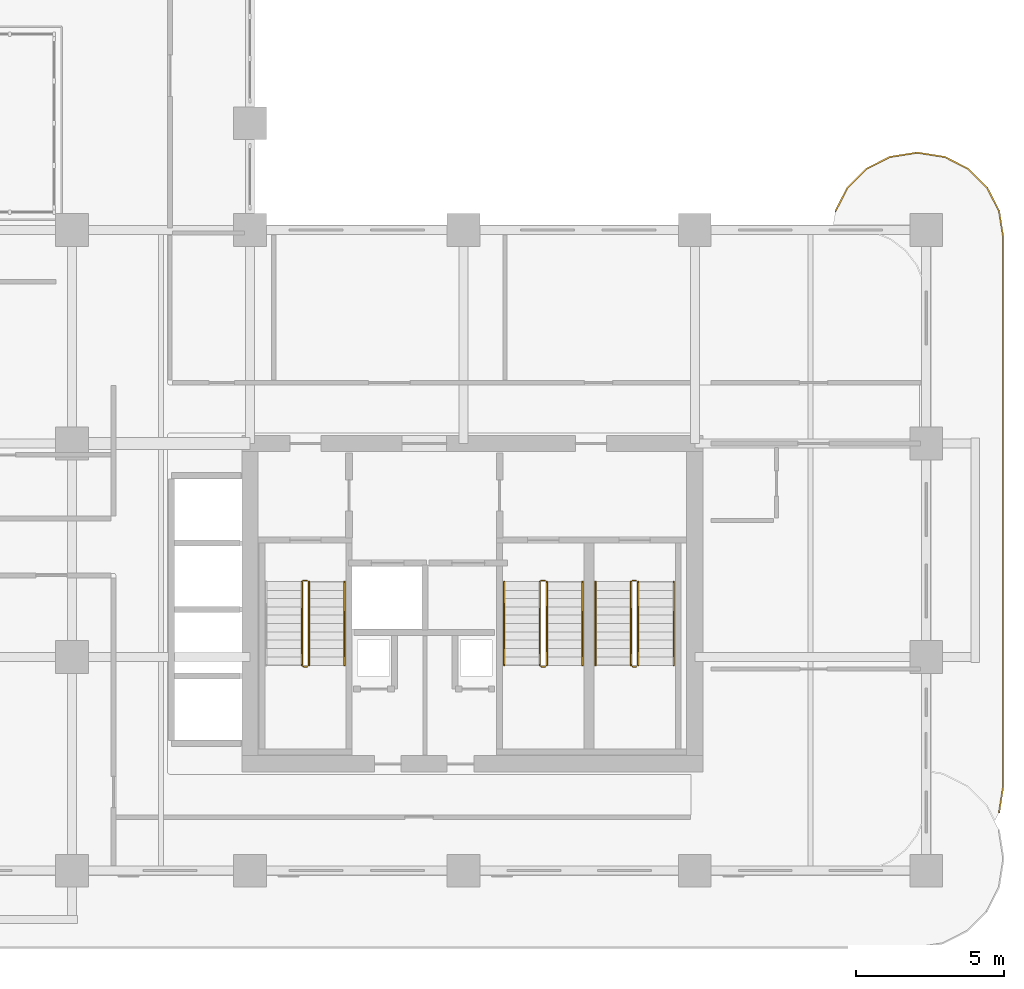
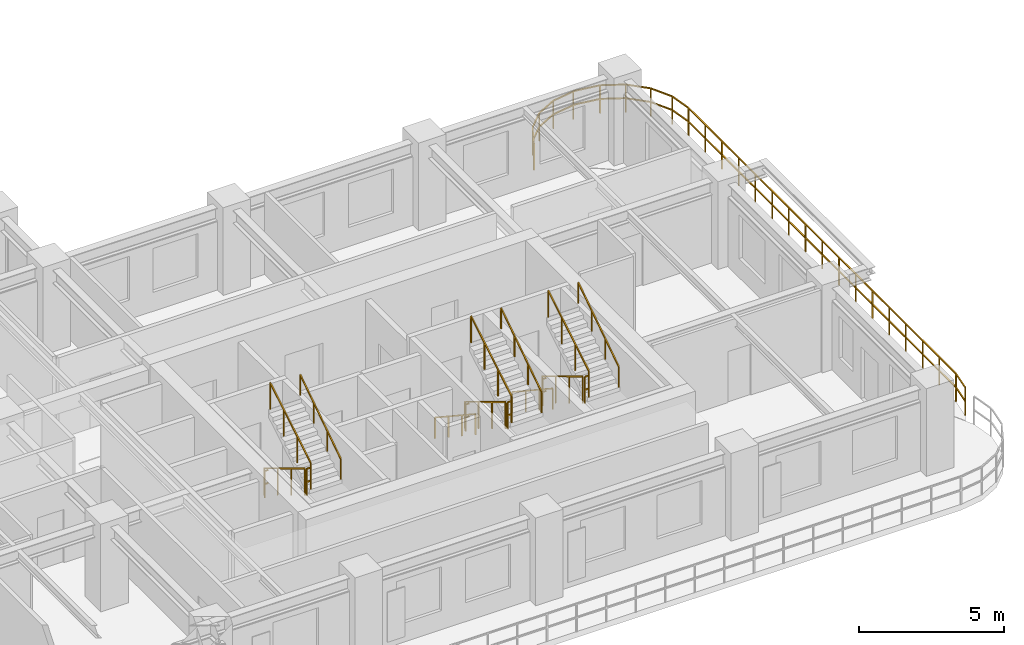
# One storey, part 20 of 22: 18 railings.
"""IFC4 building model written with IfcOpenShell, lengths in metres."""

from ifc_helpers import new_model, si_unit, derived_unit, direction, frame, origin, origin_2d, place, context, subcontext, project, spatial, rectangle, extrude, material, type_object, element, save


model = new_model("IFC4")

# Units and contexts
model_context = context("Model", 3, precision=1e-05, world=origin(), true_north=direction((0.0, 1.0)))
body_context = subcontext(model_context, "Body", "Model", "MODEL_VIEW")
ifc_project = project(units=[si_unit("LENGTHUNIT", "METRE"), si_unit("AREAUNIT", "SQUARE_METRE"), si_unit("VOLUMEUNIT", "CUBIC_METRE"), si_unit("PLANEANGLEUNIT", "RADIAN"), si_unit("MASSUNIT", "GRAM", prefix="KILO"), si_unit("THERMODYNAMICTEMPERATUREUNIT", "KELVIN"), si_unit("POWERUNIT", "WATT"), derived_unit("THERMALTRANSMITTANCEUNIT", [(si_unit("POWERUNIT", "WATT"), 1), (si_unit("AREAUNIT", "SQUARE_METRE"), -1), (si_unit("THERMODYNAMICTEMPERATUREUNIT", "KELVIN"), -1)])], contexts=[model_context])

# Site, building, storey
site_placement = place(None, origin())
site = spatial("IfcSite", under=ifc_project, at=site_placement, CompositionType="ELEMENT")
building_placement = place(site_placement, origin())
building = spatial("IfcBuilding", under=site, at=building_placement, Name="Zahravan Archway Hotel and Residences", CompositionType="ELEMENT")
storey_placement = place(building_placement, frame((0.0, 0.0, 91.60009765625)))
storey = spatial("IfcBuildingStorey", under=building, at=storey_placement, Name="L22", CompositionType="ELEMENT", Elevation=91.60009765625)

# Railings
ifc_material_1 = material(Name="Bronze & Laminated Glass Balustrade", Category="glass")
railing_type_1 = type_object("IfcRailingType", Name="RL-BAL-1200", PredefinedType="BALUSTRADE", material=ifc_material_1)
railing_1_placement = place(storey_placement, frame((54.53955078125, 22.230712890625, 0.0)))
element("IfcRailing", 1, at=railing_1_placement, inside=storey, type_object=railing_type_1, Name="L22 Balustrade RL-SLB-BAL-L22-EA-1", PredefinedType="BALUSTRADE", context=body_context, shape_type="SweptSolid", body=[
    extrude(rectangle(XDim=0.048095703125, YDim=0.048095703125, at=origin_2d()), frame((0.0, 0.0, 1.17578125), z_axis=(0.453991409995, 0.891006060389, 0.0), x_axis=(-0.891006060389, 0.453991409995, 0.0)), (0.0, 0.0, 1.0), 0.8916015625),
    extrude(rectangle(XDim=0.048095703125, YDim=0.048095703125, at=origin_2d()), frame((0.0, 0.0, 0.60009765625), z_axis=(0.453991409995, 0.891006060389, 0.0), x_axis=(-0.891006060389, 0.453991409995, 0.0)), (0.0, 0.0, 1.0), 0.8916015625),
    extrude(rectangle(XDim=0.048095703125, YDim=0.048095703125, at=origin_2d()), frame((0.40478515625, 0.79443359375, 1.17578125), z_axis=(0.706969864397, 0.70724367147, 0.0), x_axis=(-0.70724367147, 0.706969864397, 0.0)), (0.0, 0.0, 1.0), 0.8916015625),
    extrude(rectangle(XDim=0.048095703125, YDim=0.048095703125, at=origin_2d()), frame((0.40478515625, 0.79443359375, 0.60009765625), z_axis=(0.706969864397, 0.70724367147, 0.0), x_axis=(-0.70724367147, 0.706969864397, 0.0)), (0.0, 0.0, 1.0), 0.8916015625),
    extrude(rectangle(XDim=0.048095703125, YDim=0.048095703125, at=origin_2d()), frame((1.03515625, 1.425048828125, 1.17578125), z_axis=(0.891062476022, 0.45388067135, 0.0), x_axis=(-0.45388067135, 0.891062476022, 0.0)), (0.0, 0.0, 1.0), 0.891845703125),
    extrude(rectangle(XDim=0.048095703125, YDim=0.048095703125, at=origin_2d()), frame((1.03515625, 1.425048828125, 0.60009765625), z_axis=(0.891062476022, 0.45388067135, 0.0), x_axis=(-0.45388067135, 0.891062476022, 0.0)), (0.0, 0.0, 1.0), 0.891845703125),
    extrude(rectangle(XDim=0.048095703125, YDim=0.048095703125, at=origin_2d()), frame((1.829833984375, 1.829833984375, 1.17578125), z_axis=(0.987700720307, 0.156356282588, 0.0), x_axis=(-0.156356282588, 0.987700720307, 0.0)), (0.0, 0.0, 1.0), 0.8916015625),
    extrude(rectangle(XDim=0.048095703125, YDim=0.048095703125, at=origin_2d()), frame((1.829833984375, 1.829833984375, 0.60009765625), z_axis=(0.987700720307, 0.156356282588, 0.0), x_axis=(-0.156356282588, 0.987700720307, 0.0)), (0.0, 0.0, 1.0), 0.8916015625),
    extrude(rectangle(XDim=0.048095703125, YDim=0.048095703125, at=origin_2d()), frame((2.71044921875, 1.96923828125, 1.17578125), z_axis=(1.0, 0.0, 0.0), x_axis=(0.0, 1.0, 0.0)), (0.0, 0.0, 1.0), 0.10009765625),
    extrude(rectangle(XDim=0.048095703125, YDim=0.048095703125, at=origin_2d()), frame((2.71044921875, 1.96923828125, 0.60009765625), z_axis=(1.0, 0.0, 0.0), x_axis=(0.0, 1.0, 0.0)), (0.0, 0.0, 1.0), 0.10009765625),
    extrude(rectangle(XDim=0.048095703125, YDim=0.048095703125, at=origin_2d()), frame((2.810546875, 1.96923828125, 1.17578125), z_axis=(0.987700720307, -0.156356282588, 0.0), x_axis=(0.156356282588, 0.987700720307, 0.0)), (0.0, 0.0, 1.0), 0.8916015625),
    extrude(rectangle(XDim=0.048095703125, YDim=0.048095703125, at=origin_2d()), frame((2.810546875, 1.96923828125, 0.60009765625), z_axis=(0.987700720307, -0.156356282588, 0.0), x_axis=(0.156356282588, 0.987700720307, 0.0)), (0.0, 0.0, 1.0), 0.8916015625),
    extrude(rectangle(XDim=0.048095703125, YDim=0.048095703125, at=origin_2d()), frame((3.691162109375, 1.829833984375, 1.17578125), z_axis=(0.891006060389, -0.453991409995, 0.0), x_axis=(0.453991409995, 0.891006060389, 0.0)), (0.0, 0.0, 1.0), 0.8916015625),
    extrude(rectangle(XDim=0.048095703125, YDim=0.048095703125, at=origin_2d()), frame((3.691162109375, 1.829833984375, 0.60009765625), z_axis=(0.891006060389, -0.453991409995, 0.0), x_axis=(0.453991409995, 0.891006060389, 0.0)), (0.0, 0.0, 1.0), 0.8916015625),
    extrude(rectangle(XDim=0.048095703125, YDim=0.048095703125, at=origin_2d()), frame((4.485595703125, 1.425048828125, 1.17578125), z_axis=(0.707106781187, -0.707106781187, 0.0), x_axis=(0.707106781187, 0.707106781187, 0.0)), (0.0, 0.0, 1.0), 0.891845703125),
    extrude(rectangle(XDim=0.048095703125, YDim=0.048095703125, at=origin_2d()), frame((4.485595703125, 1.425048828125, 0.60009765625), z_axis=(0.707106781187, -0.707106781187, 0.0), x_axis=(0.707106781187, 0.707106781187, 0.0)), (0.0, 0.0, 1.0), 0.891845703125),
    extrude(rectangle(XDim=0.048095703125, YDim=0.048095703125, at=origin_2d()), frame((5.1162109375, 0.79443359375, 1.17578125), z_axis=(0.453991409995, -0.891006060389, 0.0), x_axis=(0.891006060389, 0.453991409995, 0.0)), (0.0, 0.0, 1.0), 0.8916015625),
    extrude(rectangle(XDim=0.048095703125, YDim=0.048095703125, at=origin_2d()), frame((5.1162109375, 0.79443359375, 0.60009765625), z_axis=(0.453991409995, -0.891006060389, 0.0), x_axis=(0.891006060389, 0.453991409995, 0.0)), (0.0, 0.0, 1.0), 0.8916015625),
    extrude(rectangle(XDim=0.048095703125, YDim=0.048095703125, at=origin_2d()), frame((5.52099609375, 0.0, 1.17578125), z_axis=(0.156356282588, -0.987700720307, 0.0), x_axis=(0.987700720307, 0.156356282588, 0.0)), (0.0, 0.0, 1.0), 0.8916015625),
    extrude(rectangle(XDim=0.048095703125, YDim=0.048095703125, at=origin_2d()), frame((5.52099609375, 0.0, 0.60009765625), z_axis=(0.156356282588, -0.987700720307, 0.0), x_axis=(0.987700720307, 0.156356282588, 0.0)), (0.0, 0.0, 1.0), 0.8916015625),
    extrude(rectangle(XDim=0.048095703125, YDim=0.048095703125, at=origin_2d()), frame((5.660400390625, -0.880615234375, 1.17578125), z_axis=(0.0, -1.0, 0.0), x_axis=(1.0, 0.0, 0.0)), (0.0, 0.0, 1.0), 18.5),
    extrude(rectangle(XDim=0.048095703125, YDim=0.048095703125, at=origin_2d()), frame((5.660400390625, -0.880615234375, 0.60009765625), z_axis=(0.0, -1.0, 0.0), x_axis=(1.0, 0.0, 0.0)), (0.0, 0.0, 1.0), 18.5),
    extrude(rectangle(XDim=0.048095703125, YDim=0.048095703125, at=origin_2d()), frame((5.660400390625, -19.380615234375, 1.17578125), z_axis=(-0.156314005608, -0.987707411965, 0.0), x_axis=(0.987707411965, -0.156314005608, 0.0)), (0.0, 0.0, 1.0), 0.891845703125),
    extrude(rectangle(XDim=0.048095703125, YDim=0.048095703125, at=origin_2d()), frame((5.660400390625, -19.380615234375, 0.60009765625), z_axis=(-0.156314005608, -0.987707411965, 0.0), x_axis=(0.987707411965, -0.156314005608, 0.0)), (0.0, 0.0, 1.0), 0.891845703125),
    extrude(rectangle(XDim=0.0419921875, YDim=0.0419921875, at=origin_2d()), origin(), (0.0, 0.0, 1.0), 1.15185546875),
    extrude(rectangle(XDim=0.0419921875, YDim=0.0419921875, at=origin_2d()), frame((0.40478515625, 0.79443359375, 0.0)), (0.0, 0.0, 1.0), 1.15185546875),
    extrude(rectangle(XDim=0.0419921875, YDim=0.0419921875, at=origin_2d()), frame((1.03515625, 1.425048828125, 0.0)), (0.0, 0.0, 1.0), 1.15185546875),
    extrude(rectangle(XDim=0.0419921875, YDim=0.0419921875, at=origin_2d()), frame((1.829833984375, 1.829833984375, 0.0)), (0.0, 0.0, 1.0), 1.15185546875),
    extrude(rectangle(XDim=0.0419921875, YDim=0.0419921875, at=origin_2d()), frame((2.71044921875, 1.96923828125, 0.0)), (0.0, 0.0, 1.0), 1.15185546875),
    extrude(rectangle(XDim=0.0419921875, YDim=0.0419921875, at=origin_2d()), frame((3.691162109375, 1.829833984375, 0.0)), (0.0, 0.0, 1.0), 1.15185546875),
    extrude(rectangle(XDim=0.0419921875, YDim=0.0419921875, at=origin_2d()), frame((4.485595703125, 1.425048828125, 0.0)), (0.0, 0.0, 1.0), 1.15185546875),
    extrude(rectangle(XDim=0.0419921875, YDim=0.0419921875, at=origin_2d()), frame((5.1162109375, 0.79443359375, 0.0)), (0.0, 0.0, 1.0), 1.15185546875),
    extrude(rectangle(XDim=0.0419921875, YDim=0.0419921875, at=origin_2d()), frame((5.52099609375, 0.0, 0.0)), (0.0, 0.0, 1.0), 1.15185546875),
    extrude(rectangle(XDim=0.0419921875, YDim=0.0419921875, at=origin_2d()), frame((5.660400390625, -0.880615234375, 0.0)), (0.0, 0.0, 1.0), 1.15185546875),
    extrude(rectangle(XDim=0.0419921875, YDim=0.0419921875, at=origin_2d()), frame((5.660400390625, -2.036865234375, 0.0)), (0.0, 0.0, 1.0), 1.15185546875),
    extrude(rectangle(XDim=0.0419921875, YDim=0.0419921875, at=origin_2d()), frame((5.660400390625, -3.193115234375, 0.0)), (0.0, 0.0, 1.0), 1.15185546875),
    extrude(rectangle(XDim=0.0419921875, YDim=0.0419921875, at=origin_2d()), frame((5.660400390625, -4.349365234375, 0.0)), (0.0, 0.0, 1.0), 1.15185546875),
    extrude(rectangle(XDim=0.0419921875, YDim=0.0419921875, at=origin_2d()), frame((5.660400390625, -5.505615234375, 0.0)), (0.0, 0.0, 1.0), 1.15185546875),
    extrude(rectangle(XDim=0.0419921875, YDim=0.0419921875, at=origin_2d()), frame((5.660400390625, -6.661865234375, 0.0)), (0.0, 0.0, 1.0), 1.15185546875),
    extrude(rectangle(XDim=0.0419921875, YDim=0.0419921875, at=origin_2d()), frame((5.660400390625, -7.818115234375, 0.0)), (0.0, 0.0, 1.0), 1.15185546875),
    extrude(rectangle(XDim=0.0419921875, YDim=0.0419921875, at=origin_2d()), frame((5.660400390625, -8.974365234375, 0.0)), (0.0, 0.0, 1.0), 1.15185546875),
    extrude(rectangle(XDim=0.0419921875, YDim=0.0419921875, at=origin_2d()), frame((5.660400390625, -10.130615234375, 0.0)), (0.0, 0.0, 1.0), 1.15185546875),
    extrude(rectangle(XDim=0.0419921875, YDim=0.0419921875, at=origin_2d()), frame((5.660400390625, -11.286865234375, 0.0)), (0.0, 0.0, 1.0), 1.15185546875),
    extrude(rectangle(XDim=0.0419921875, YDim=0.0419921875, at=origin_2d()), frame((5.660400390625, -12.443115234375, 0.0)), (0.0, 0.0, 1.0), 1.15185546875),
    extrude(rectangle(XDim=0.0419921875, YDim=0.0419921875, at=origin_2d()), frame((5.660400390625, -13.599365234375, 0.0)), (0.0, 0.0, 1.0), 1.15185546875),
    extrude(rectangle(XDim=0.0419921875, YDim=0.0419921875, at=origin_2d()), frame((5.660400390625, -14.755615234375, 0.0)), (0.0, 0.0, 1.0), 1.15185546875),
    extrude(rectangle(XDim=0.0419921875, YDim=0.0419921875, at=origin_2d()), frame((5.660400390625, -15.911865234375, 0.0)), (0.0, 0.0, 1.0), 1.15185546875),
    extrude(rectangle(XDim=0.0419921875, YDim=0.0419921875, at=origin_2d()), frame((5.660400390625, -17.068115234375, 0.0)), (0.0, 0.0, 1.0), 1.15185546875),
    extrude(rectangle(XDim=0.0419921875, YDim=0.0419921875, at=origin_2d()), frame((5.660400390625, -18.224365234375, 0.0)), (0.0, 0.0, 1.0), 1.15185546875),
    extrude(rectangle(XDim=0.0419921875, YDim=0.0419921875, at=origin_2d()), frame((5.660400390625, -19.380615234375, 0.0)), (0.0, 0.0, 1.0), 1.15185546875),
    extrude(rectangle(XDim=0.0419921875, YDim=0.0419921875, at=origin_2d()), frame((5.52099609375, -20.261474609375, 0.0)), (0.0, 0.0, 1.0), 1.15185546875),
])
ifc_material_2 = material(Name="Painted Tubular Steel", Category="steel")
railing_type_2 = type_object("IfcRailingType", Name="RL-STG-1150", PredefinedType="GUARDRAIL", material=ifc_material_2)
railing_2_placement = place(storey_placement, frame((36.550048828125, 9.72998046875, 0.16796875)))
element("IfcRailing", 2, at=railing_2_placement, inside=storey, type_object=railing_type_2, Name="L22 ST-A1 stair guard 1", PredefinedType="GUARDRAIL", context=body_context, shape_type="SweptSolid", body=[
    extrude(rectangle(XDim=0.048095703125, YDim=0.048095703125, at=origin_2d()), frame((0.0, 0.0, 1.1259765625), z_axis=(0.0, -0.857242210791, 0.514913383045), x_axis=(1.0, 0.0, 0.0)), (0.0, 0.0, 1.0), 3.266357421875),
    extrude(rectangle(XDim=0.0419921875, YDim=0.0419921875, at=origin_2d()), origin(), (0.0, 0.0, 1.0), 1.101806640625),
    extrude(rectangle(XDim=0.0419921875, YDim=0.0419921875, at=origin_2d()), frame((0.0, -0.933349609375, 0.560546875)), (0.0, 0.0, 1.0), 1.101806640625),
    extrude(rectangle(XDim=0.0419921875, YDim=0.0419921875, at=origin_2d()), frame((0.0, -1.86669921875, 1.121337890625)), (0.0, 0.0, 1.0), 1.101806640625),
    extrude(rectangle(XDim=0.0419921875, YDim=0.0419921875, at=origin_2d()), frame((0.0, -2.800048828125, 1.681884765625)), (0.0, 0.0, 1.0), 1.101806640625),
])
railing_3_placement = place(storey_placement, frame((36.60009765625, 6.8798828125, 1.849853515625)))
element("IfcRailing", 3, at=railing_3_placement, inside=storey, type_object=railing_type_2, Name="L22 ST-A1 stair guard 2", PredefinedType="GUARDRAIL", context=body_context, shape_type="SweptSolid", body=[
    extrude(rectangle(XDim=0.048095703125, YDim=0.048095703125, at=origin_2d()), frame((0.0, 0.0, 1.1259765625), z_axis=(1.0, 0.0, 0.0), x_axis=(0.0, 1.0, 0.0)), (0.0, 0.0, 1.0), 0.139892578125),
    extrude(rectangle(XDim=0.048095703125, YDim=0.048095703125, at=origin_2d()), frame((0.0, 0.0, 0.574951171875), z_axis=(1.0, 0.0, 0.0), x_axis=(0.0, 1.0, 0.0)), (0.0, 0.0, 1.0), 0.139892578125),
    extrude(rectangle(XDim=0.0419921875, YDim=0.0419921875, at=origin_2d()), origin(), (0.0, 0.0, 1.0), 1.101806640625),
])
railing_4_placement = place(storey_placement, frame((36.7900390625, 6.929931640625, 2.01806640625)))
element("IfcRailing", 4, at=railing_4_placement, inside=storey, type_object=railing_type_2, Name="L22 ST-A1 stair guard 3", PredefinedType="GUARDRAIL", context=body_context, shape_type="SweptSolid", body=[
    extrude(rectangle(XDim=0.048095703125, YDim=0.048095703125, at=origin_2d()), frame((0.0, 0.0, 1.1259765625), z_axis=(0.0, 0.857242210791, 0.514913383045), x_axis=(-1.0, 0.0, 0.0)), (0.0, 0.0, 1.0), 3.266357421875),
    extrude(rectangle(XDim=0.0419921875, YDim=0.0419921875, at=origin_2d()), origin(), (0.0, 0.0, 1.0), 1.101806640625),
    extrude(rectangle(XDim=0.0419921875, YDim=0.0419921875, at=origin_2d()), frame((0.0, 0.933349609375, 0.560546875)), (0.0, 0.0, 1.0), 1.101806640625),
    extrude(rectangle(XDim=0.0419921875, YDim=0.0419921875, at=origin_2d()), frame((0.0, 1.86669921875, 1.121337890625)), (0.0, 0.0, 1.0), 1.101806640625),
    extrude(rectangle(XDim=0.0419921875, YDim=0.0419921875, at=origin_2d()), frame((0.0, 2.800048828125, 1.681884765625)), (0.0, 0.0, 1.0), 1.101806640625),
])
railing_5_placement = place(storey_placement, frame((36.60009765625, 9.780029296875, 0.0)))
element("IfcRailing", 5, at=railing_5_placement, inside=storey, type_object=railing_type_2, Name="L22 ST-A1 stair guard 4", PredefinedType="GUARDRAIL", context=body_context, shape_type="SweptSolid", body=[
    extrude(rectangle(XDim=0.048095703125, YDim=0.048095703125, at=origin_2d()), frame((0.0, 0.0, 1.1259765625), z_axis=(1.0, 0.0, 0.0), x_axis=(0.0, 1.0, 0.0)), (0.0, 0.0, 1.0), 0.139892578125),
    extrude(rectangle(XDim=0.048095703125, YDim=0.048095703125, at=origin_2d()), frame((0.0, 0.0, 0.574951171875), z_axis=(1.0, 0.0, 0.0), x_axis=(0.0, 1.0, 0.0)), (0.0, 0.0, 1.0), 0.139892578125),
    extrude(rectangle(XDim=0.0419921875, YDim=0.0419921875, at=origin_2d()), origin(), (0.0, 0.0, 1.0), 1.101806640625),
])
railing_6_placement = place(storey_placement, frame((44.570068359375, 9.72998046875, 0.16796875)))
element("IfcRailing", 6, at=railing_6_placement, inside=storey, type_object=railing_type_2, Name="L22 ST-A2 stair guard 1", PredefinedType="GUARDRAIL", context=body_context, shape_type="SweptSolid", body=[
    extrude(rectangle(XDim=0.048095703125, YDim=0.048095703125, at=origin_2d()), frame((0.0, 0.0, 1.1259765625), z_axis=(0.0, -0.857242210791, 0.514913383045), x_axis=(1.0, 0.0, 0.0)), (0.0, 0.0, 1.0), 3.266357421875),
    extrude(rectangle(XDim=0.0419921875, YDim=0.0419921875, at=origin_2d()), origin(), (0.0, 0.0, 1.0), 1.101806640625),
    extrude(rectangle(XDim=0.0419921875, YDim=0.0419921875, at=origin_2d()), frame((0.0, -0.933349609375, 0.560546875)), (0.0, 0.0, 1.0), 1.101806640625),
    extrude(rectangle(XDim=0.0419921875, YDim=0.0419921875, at=origin_2d()), frame((0.0, -1.86669921875, 1.121337890625)), (0.0, 0.0, 1.0), 1.101806640625),
    extrude(rectangle(XDim=0.0419921875, YDim=0.0419921875, at=origin_2d()), frame((0.0, -2.800048828125, 1.681884765625)), (0.0, 0.0, 1.0), 1.101806640625),
])
railing_7_placement = place(storey_placement, frame((44.6201171875, 6.8798828125, 1.849853515625)))
element("IfcRailing", 7, at=railing_7_placement, inside=storey, type_object=railing_type_2, Name="L22 ST-A2 stair guard 2", PredefinedType="GUARDRAIL", context=body_context, shape_type="SweptSolid", body=[
    extrude(rectangle(XDim=0.048095703125, YDim=0.048095703125, at=origin_2d()), frame((0.0, 0.0, 1.1259765625), z_axis=(1.0, 0.0, 0.0), x_axis=(0.0, 1.0, 0.0)), (0.0, 0.0, 1.0), 0.139892578125),
    extrude(rectangle(XDim=0.048095703125, YDim=0.048095703125, at=origin_2d()), frame((0.0, 0.0, 0.574951171875), z_axis=(1.0, 0.0, 0.0), x_axis=(0.0, 1.0, 0.0)), (0.0, 0.0, 1.0), 0.139892578125),
    extrude(rectangle(XDim=0.0419921875, YDim=0.0419921875, at=origin_2d()), origin(), (0.0, 0.0, 1.0), 1.101806640625),
])
railing_8_placement = place(storey_placement, frame((44.81005859375, 6.929931640625, 2.01806640625)))
element("IfcRailing", 8, at=railing_8_placement, inside=storey, type_object=railing_type_2, Name="L22 ST-A2 stair guard 3", PredefinedType="GUARDRAIL", context=body_context, shape_type="SweptSolid", body=[
    extrude(rectangle(XDim=0.048095703125, YDim=0.048095703125, at=origin_2d()), frame((0.0, 0.0, 1.1259765625), z_axis=(0.0, 0.857242210791, 0.514913383045), x_axis=(-1.0, 0.0, 0.0)), (0.0, 0.0, 1.0), 3.266357421875),
    extrude(rectangle(XDim=0.0419921875, YDim=0.0419921875, at=origin_2d()), origin(), (0.0, 0.0, 1.0), 1.101806640625),
    extrude(rectangle(XDim=0.0419921875, YDim=0.0419921875, at=origin_2d()), frame((0.0, 0.933349609375, 0.560546875)), (0.0, 0.0, 1.0), 1.101806640625),
    extrude(rectangle(XDim=0.0419921875, YDim=0.0419921875, at=origin_2d()), frame((0.0, 1.86669921875, 1.121337890625)), (0.0, 0.0, 1.0), 1.101806640625),
    extrude(rectangle(XDim=0.0419921875, YDim=0.0419921875, at=origin_2d()), frame((0.0, 2.800048828125, 1.681884765625)), (0.0, 0.0, 1.0), 1.101806640625),
])
railing_9_placement = place(storey_placement, frame((44.6201171875, 9.780029296875, 0.0)))
element("IfcRailing", 9, at=railing_9_placement, inside=storey, type_object=railing_type_2, Name="L22 ST-A2 stair guard 4", PredefinedType="GUARDRAIL", context=body_context, shape_type="SweptSolid", body=[
    extrude(rectangle(XDim=0.048095703125, YDim=0.048095703125, at=origin_2d()), frame((0.0, 0.0, 1.1259765625), z_axis=(1.0, 0.0, 0.0), x_axis=(0.0, 1.0, 0.0)), (0.0, 0.0, 1.0), 0.139892578125),
    extrude(rectangle(XDim=0.048095703125, YDim=0.048095703125, at=origin_2d()), frame((0.0, 0.0, 0.574951171875), z_axis=(1.0, 0.0, 0.0), x_axis=(0.0, 1.0, 0.0)), (0.0, 0.0, 1.0), 0.139892578125),
    extrude(rectangle(XDim=0.0419921875, YDim=0.0419921875, at=origin_2d()), origin(), (0.0, 0.0, 1.0), 1.101806640625),
])
railing_10_placement = place(storey_placement, frame((47.64990234375, 9.72998046875, 0.16796875)))
element("IfcRailing", 10, at=railing_10_placement, inside=storey, type_object=railing_type_2, Name="L22 ST-A3 stair guard 1", PredefinedType="GUARDRAIL", context=body_context, shape_type="SweptSolid", body=[
    extrude(rectangle(XDim=0.048095703125, YDim=0.048095703125, at=origin_2d()), frame((0.0, 0.0, 1.1259765625), z_axis=(0.0, -0.857242210791, 0.514913383045), x_axis=(1.0, 0.0, 0.0)), (0.0, 0.0, 1.0), 3.266357421875),
    extrude(rectangle(XDim=0.0419921875, YDim=0.0419921875, at=origin_2d()), origin(), (0.0, 0.0, 1.0), 1.101806640625),
    extrude(rectangle(XDim=0.0419921875, YDim=0.0419921875, at=origin_2d()), frame((0.0, -0.933349609375, 0.560546875)), (0.0, 0.0, 1.0), 1.101806640625),
    extrude(rectangle(XDim=0.0419921875, YDim=0.0419921875, at=origin_2d()), frame((0.0, -1.86669921875, 1.121337890625)), (0.0, 0.0, 1.0), 1.101806640625),
    extrude(rectangle(XDim=0.0419921875, YDim=0.0419921875, at=origin_2d()), frame((0.0, -2.800048828125, 1.681884765625)), (0.0, 0.0, 1.0), 1.101806640625),
])
railing_11_placement = place(storey_placement, frame((47.699951171875, 6.8798828125, 1.849853515625)))
element("IfcRailing", 11, at=railing_11_placement, inside=storey, type_object=railing_type_2, Name="L22 ST-A3 stair guard 2", PredefinedType="GUARDRAIL", context=body_context, shape_type="SweptSolid", body=[
    extrude(rectangle(XDim=0.048095703125, YDim=0.048095703125, at=origin_2d()), frame((0.0, 0.0, 1.1259765625), z_axis=(1.0, 0.0, 0.0), x_axis=(0.0, 1.0, 0.0)), (0.0, 0.0, 1.0), 0.14013671875),
    extrude(rectangle(XDim=0.048095703125, YDim=0.048095703125, at=origin_2d()), frame((0.0, 0.0, 0.574951171875), z_axis=(1.0, 0.0, 0.0), x_axis=(0.0, 1.0, 0.0)), (0.0, 0.0, 1.0), 0.14013671875),
    extrude(rectangle(XDim=0.0419921875, YDim=0.0419921875, at=origin_2d()), origin(), (0.0, 0.0, 1.0), 1.101806640625),
])
railing_12_placement = place(storey_placement, frame((47.889892578125, 6.929931640625, 2.01806640625)))
element("IfcRailing", 12, at=railing_12_placement, inside=storey, type_object=railing_type_2, Name="L22 ST-A3 stair guard 3", PredefinedType="GUARDRAIL", context=body_context, shape_type="SweptSolid", body=[
    extrude(rectangle(XDim=0.048095703125, YDim=0.048095703125, at=origin_2d()), frame((0.0, 0.0, 1.1259765625), z_axis=(0.0, 0.857242210791, 0.514913383045), x_axis=(-1.0, 0.0, 0.0)), (0.0, 0.0, 1.0), 3.266357421875),
    extrude(rectangle(XDim=0.0419921875, YDim=0.0419921875, at=origin_2d()), origin(), (0.0, 0.0, 1.0), 1.101806640625),
    extrude(rectangle(XDim=0.0419921875, YDim=0.0419921875, at=origin_2d()), frame((0.0, 0.933349609375, 0.560546875)), (0.0, 0.0, 1.0), 1.101806640625),
    extrude(rectangle(XDim=0.0419921875, YDim=0.0419921875, at=origin_2d()), frame((0.0, 1.86669921875, 1.121337890625)), (0.0, 0.0, 1.0), 1.101806640625),
    extrude(rectangle(XDim=0.0419921875, YDim=0.0419921875, at=origin_2d()), frame((0.0, 2.800048828125, 1.681884765625)), (0.0, 0.0, 1.0), 1.101806640625),
])
railing_13_placement = place(storey_placement, frame((47.699951171875, 9.780029296875, 0.0)))
element("IfcRailing", 13, at=railing_13_placement, inside=storey, type_object=railing_type_2, Name="L22 ST-A3 stair guard 4", PredefinedType="GUARDRAIL", context=body_context, shape_type="SweptSolid", body=[
    extrude(rectangle(XDim=0.048095703125, YDim=0.048095703125, at=origin_2d()), frame((0.0, 0.0, 1.1259765625), z_axis=(1.0, 0.0, 0.0), x_axis=(0.0, 1.0, 0.0)), (0.0, 0.0, 1.0), 0.14013671875),
    extrude(rectangle(XDim=0.048095703125, YDim=0.048095703125, at=origin_2d()), frame((0.0, 0.0, 0.574951171875), z_axis=(1.0, 0.0, 0.0), x_axis=(0.0, 1.0, 0.0)), (0.0, 0.0, 1.0), 0.14013671875),
    extrude(rectangle(XDim=0.0419921875, YDim=0.0419921875, at=origin_2d()), origin(), (0.0, 0.0, 1.0), 1.101806640625),
])
ifc_material_3 = material(Name="Brushed Stainless Steel", Category="steel")
railing_type_3 = type_object("IfcRailingType", Name="RL-STH-900", PredefinedType="HANDRAIL", material=ifc_material_3)
railing_14_placement = place(storey_placement, frame((37.989990234375, 6.929931640625, 2.01806640625)))
element("IfcRailing", 14, at=railing_14_placement, inside=storey, type_object=railing_type_3, Name="L22 ST-A1 stair handrail 2", PredefinedType="HANDRAIL", context=body_context, shape_type="SweptSolid", body=[
    extrude(rectangle(XDim=0.048095703125, YDim=0.048095703125, at=origin_2d()), frame((0.0, 0.0, 0.8759765625), z_axis=(0.0, 0.834326358476, 0.551270829586), x_axis=(-1.0, 0.0, 0.0)), (0.0, 0.0, 1.0), 3.35595703125),
    extrude(rectangle(XDim=0.0419921875, YDim=0.0419921875, at=origin_2d()), origin(), (0.0, 0.0, 1.0), 0.851806640625),
    extrude(rectangle(XDim=0.0419921875, YDim=0.0419921875, at=origin_2d()), frame((0.0, 0.933349609375, 0.61669921875)), (0.0, 0.0, 1.0), 0.851806640625),
    extrude(rectangle(XDim=0.0419921875, YDim=0.0419921875, at=origin_2d()), frame((0.0, 1.86669921875, 1.2333984375)), (0.0, 0.0, 1.0), 0.851806640625),
    extrude(rectangle(XDim=0.0419921875, YDim=0.0419921875, at=origin_2d()), frame((0.0, 2.800048828125, 1.85009765625)), (0.0, 0.0, 1.0), 0.851806640625),
])
railing_15_placement = place(storey_placement, frame((43.3701171875, 9.72998046875, 0.16796875)))
element("IfcRailing", 15, at=railing_15_placement, inside=storey, type_object=railing_type_3, Name="L22 ST-A2 stair handrail 1", PredefinedType="HANDRAIL", context=body_context, shape_type="SweptSolid", body=[
    extrude(rectangle(XDim=0.048095703125, YDim=0.048095703125, at=origin_2d()), frame((0.0, 0.0, 0.8759765625), z_axis=(0.0, -0.834326358476, 0.551270829586), x_axis=(1.0, 0.0, 0.0)), (0.0, 0.0, 1.0), 3.35595703125),
    extrude(rectangle(XDim=0.0419921875, YDim=0.0419921875, at=origin_2d()), origin(), (0.0, 0.0, 1.0), 0.851806640625),
    extrude(rectangle(XDim=0.0419921875, YDim=0.0419921875, at=origin_2d()), frame((0.0, -0.933349609375, 0.61669921875)), (0.0, 0.0, 1.0), 0.851806640625),
    extrude(rectangle(XDim=0.0419921875, YDim=0.0419921875, at=origin_2d()), frame((0.0, -1.86669921875, 1.2333984375)), (0.0, 0.0, 1.0), 0.851806640625),
    extrude(rectangle(XDim=0.0419921875, YDim=0.0419921875, at=origin_2d()), frame((0.0, -2.800048828125, 1.85009765625)), (0.0, 0.0, 1.0), 0.851806640625),
])
railing_16_placement = place(storey_placement, frame((46.010009765625, 6.929931640625, 2.01806640625)))
element("IfcRailing", 16, at=railing_16_placement, inside=storey, type_object=railing_type_3, Name="L22 ST-A2 stair handrail 2", PredefinedType="HANDRAIL", context=body_context, shape_type="SweptSolid", body=[
    extrude(rectangle(XDim=0.048095703125, YDim=0.048095703125, at=origin_2d()), frame((0.0, 0.0, 0.8759765625), z_axis=(0.0, 0.834326358476, 0.551270829586), x_axis=(-1.0, 0.0, 0.0)), (0.0, 0.0, 1.0), 3.35595703125),
    extrude(rectangle(XDim=0.0419921875, YDim=0.0419921875, at=origin_2d()), origin(), (0.0, 0.0, 1.0), 0.851806640625),
    extrude(rectangle(XDim=0.0419921875, YDim=0.0419921875, at=origin_2d()), frame((0.0, 0.933349609375, 0.61669921875)), (0.0, 0.0, 1.0), 0.851806640625),
    extrude(rectangle(XDim=0.0419921875, YDim=0.0419921875, at=origin_2d()), frame((0.0, 1.86669921875, 1.2333984375)), (0.0, 0.0, 1.0), 0.851806640625),
    extrude(rectangle(XDim=0.0419921875, YDim=0.0419921875, at=origin_2d()), frame((0.0, 2.800048828125, 1.85009765625)), (0.0, 0.0, 1.0), 0.851806640625),
])
railing_17_placement = place(storey_placement, frame((46.449951171875, 9.72998046875, 0.16796875)))
element("IfcRailing", 17, at=railing_17_placement, inside=storey, type_object=railing_type_3, Name="L22 ST-A3 stair handrail 1", PredefinedType="HANDRAIL", context=body_context, shape_type="SweptSolid", body=[
    extrude(rectangle(XDim=0.048095703125, YDim=0.048095703125, at=origin_2d()), frame((0.0, 0.0, 0.8759765625), z_axis=(0.0, -0.834326358476, 0.551270829586), x_axis=(1.0, 0.0, 0.0)), (0.0, 0.0, 1.0), 3.35595703125),
    extrude(rectangle(XDim=0.0419921875, YDim=0.0419921875, at=origin_2d()), origin(), (0.0, 0.0, 1.0), 0.851806640625),
    extrude(rectangle(XDim=0.0419921875, YDim=0.0419921875, at=origin_2d()), frame((0.0, -0.933349609375, 0.61669921875)), (0.0, 0.0, 1.0), 0.851806640625),
    extrude(rectangle(XDim=0.0419921875, YDim=0.0419921875, at=origin_2d()), frame((0.0, -1.86669921875, 1.2333984375)), (0.0, 0.0, 1.0), 0.851806640625),
    extrude(rectangle(XDim=0.0419921875, YDim=0.0419921875, at=origin_2d()), frame((0.0, -2.800048828125, 1.85009765625)), (0.0, 0.0, 1.0), 0.851806640625),
])
railing_18_placement = place(storey_placement, frame((49.090087890625, 6.929931640625, 2.01806640625)))
element("IfcRailing", 18, at=railing_18_placement, inside=storey, type_object=railing_type_3, Name="L22 ST-A3 stair handrail 2", PredefinedType="HANDRAIL", context=body_context, shape_type="SweptSolid", body=[
    extrude(rectangle(XDim=0.048095703125, YDim=0.048095703125, at=origin_2d()), frame((0.0, 0.0, 0.8759765625), z_axis=(0.0, 0.834326358476, 0.551270829586), x_axis=(-1.0, 0.0, 0.0)), (0.0, 0.0, 1.0), 3.35595703125),
    extrude(rectangle(XDim=0.0419921875, YDim=0.0419921875, at=origin_2d()), origin(), (0.0, 0.0, 1.0), 0.851806640625),
    extrude(rectangle(XDim=0.0419921875, YDim=0.0419921875, at=origin_2d()), frame((0.0, 0.933349609375, 0.61669921875)), (0.0, 0.0, 1.0), 0.851806640625),
    extrude(rectangle(XDim=0.0419921875, YDim=0.0419921875, at=origin_2d()), frame((0.0, 1.86669921875, 1.2333984375)), (0.0, 0.0, 1.0), 0.851806640625),
    extrude(rectangle(XDim=0.0419921875, YDim=0.0419921875, at=origin_2d()), frame((0.0, 2.800048828125, 1.85009765625)), (0.0, 0.0, 1.0), 0.851806640625),
])

save(model, "model.ifc")
